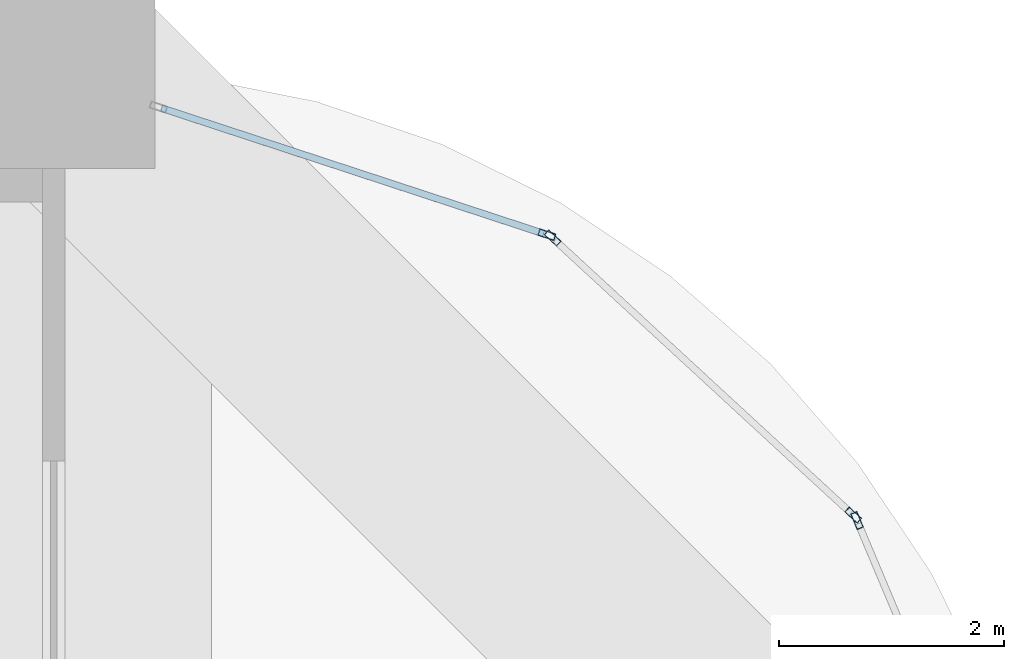
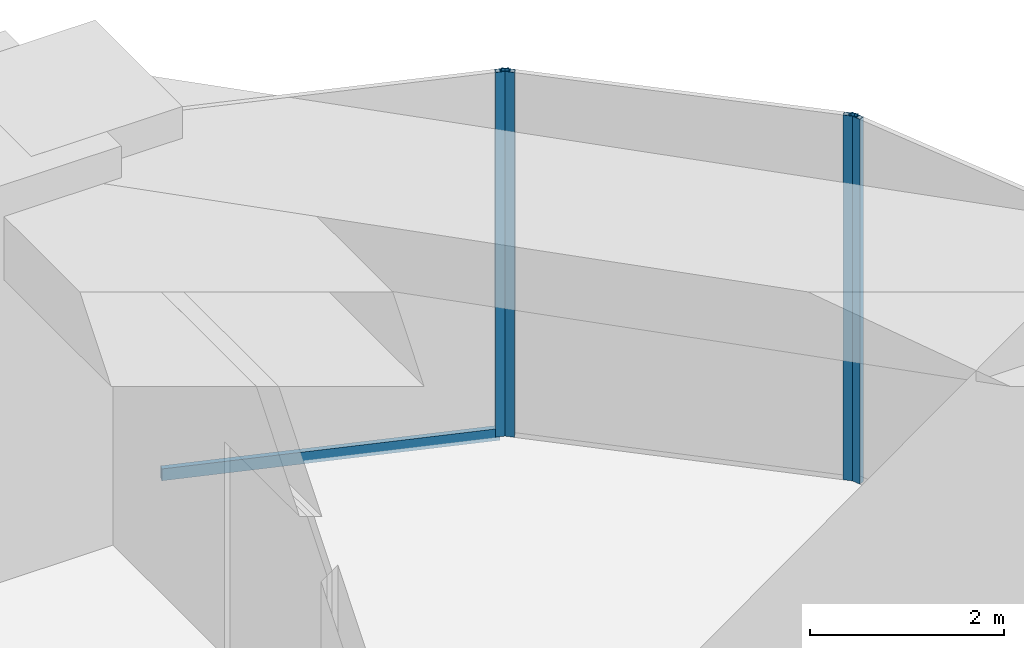
# One storey, part 34 of 38: 5 members, 3 elements without a shape of their own.
"""IFC4 building model written with IfcOpenShell, lengths in metres."""

from ifc_helpers import new_model, si_unit, direction, frame, origin, origin_2d, place, context, subcontext, project, spatial, hollow_rectangle, extrude, material, material_profile, profile_set, type_object, element, aggregate, save


model = new_model("IFC4")

# Units and contexts
model_context = context("Model", 3, precision=1e-05, world=origin(), true_north=direction((0.0, 1.0)))
body_context = subcontext(model_context, "Body", "Model", "MODEL_VIEW")
ifc_project = project(units=[si_unit("LENGTHUNIT", "METRE"), si_unit("AREAUNIT", "SQUARE_METRE"), si_unit("VOLUMEUNIT", "CUBIC_METRE"), si_unit("PLANEANGLEUNIT", "RADIAN"), si_unit("MASSUNIT", "GRAM", prefix="KILO")], contexts=[model_context])

# Site, building, storey
site_placement = place(None, origin())
site = spatial("IfcSite", under=ifc_project, at=site_placement, CompositionType="ELEMENT")
building_placement = place(site_placement, origin())
building = spatial("IfcBuilding", under=site, at=building_placement, Name="Zorevar Civic Tower", CompositionType="ELEMENT")
storey_placement = place(building_placement, frame((0.0, 0.0, 157.199951171875)))
storey = spatial("IfcBuildingStorey", under=building, at=storey_placement, Name="L38", CompositionType="ELEMENT", Elevation=157.199951171875)

# Curtain wall, member
ifc_material_1 = material(Name="Black aluminium louvres", Category="aluminium")
curtain_wall_type = type_object("IfcCurtainWallType", Name="Louvred curtain wall CW6 refuge", PredefinedType="NOTDEFINED", material=ifc_material_1)
curtain_wall_1_placement = place(storey_placement, origin())
curtain_wall_1 = element("IfcCurtainWall", 1, at=curtain_wall_1_placement, inside=storey, type_object=curtain_wall_type, Name="CW6 L38", PredefinedType="NOTDEFINED")
ifc_material_2 = material(Name="Aluminium, black anodised", Category="aluminium")
ifc_material_profile_1 = material_profile(ifc_material_2, hollow_rectangle(XDim=0.06005859375, YDim=0.14990234375, WallThickness=0.00390625, at=origin_2d()), Name="AL 150x60x4")
ifc_profile_set_1 = profile_set([ifc_material_profile_1], Name="Aluminium, black anodised")
member_type_1 = type_object("IfcMemberType", Name="CW6 mullion AL 150x60x4", PredefinedType="MULLION", material=ifc_profile_set_1)
member_1_placement = place(storey_placement, frame((61.130859375, 40.97314453125, 0.0), z_axis=(0.0, 0.0, 1.0), x_axis=(-0.921581744025, -0.388184349349, 0.0)))
member_1 = element("IfcMember", 2, at=member_1_placement, type_object=member_type_1, Name="CW6 mullion 2", PredefinedType="MULLION", context=body_context, shape_type="SweptSolid", body=[
    extrude(hollow_rectangle(XDim=0.06005859375, YDim=0.14990234375, WallThickness=0.00390625, at=origin_2d()), origin(), (0.0, 0.0, 1.0), 4.60009765625),
])
aggregate(curtain_wall_1, [member_1])

# Curtain wall, members
curtain_wall_2_placement = place(storey_placement, origin())
curtain_wall_2 = element("IfcCurtainWall", 3, at=curtain_wall_2_placement, inside=storey, type_object=curtain_wall_type, Name="CW6 L38", PredefinedType="NOTDEFINED")
member_2_placement = place(storey_placement, frame((61.09716796875, 41.02099609375, 0.0), z_axis=(0.0, 0.0, 1.0), x_axis=(-0.677777450165, -0.7352671134, 0.0)))
member_2 = element("IfcMember", 4, at=member_2_placement, type_object=member_type_1, Name="CW6 mullion 1", PredefinedType="MULLION", context=body_context, shape_type="SweptSolid", body=[
    extrude(hollow_rectangle(XDim=0.06005859375, YDim=0.14990234375, WallThickness=0.00390625, at=origin_2d()), origin(), (0.0, 0.0, 1.0), 4.60009765625),
])
member_3_placement = place(storey_placement, frame((58.427978515625, 43.4814453125, 0.0), z_axis=(0.0, 0.0, 1.0), x_axis=(-0.677777450165, -0.7352671134, 0.0)))
member_3 = element("IfcMember", 5, at=member_3_placement, type_object=member_type_1, Name="CW6 mullion 2", PredefinedType="MULLION", context=body_context, shape_type="SweptSolid", body=[
    extrude(hollow_rectangle(XDim=0.06005859375, YDim=0.14990234375, WallThickness=0.00390625, at=origin_2d()), origin(), (0.0, 0.0, 1.0), 4.60009765625),
])
aggregate(curtain_wall_2, [member_2, member_3])

curtain_wall_3_placement = place(storey_placement, origin())
curtain_wall_3 = element("IfcCurtainWall", 6, at=curtain_wall_3_placement, inside=storey, type_object=curtain_wall_type, Name="CW6 L38", PredefinedType="NOTDEFINED")
member_4_placement = place(storey_placement, frame((58.37744140625, 43.51123046875, 0.0), z_axis=(0.0, 0.0, 1.0), x_axis=(-0.31203637361, -0.950070156117, 0.0)))
member_4 = element("IfcMember", 7, at=member_4_placement, type_object=member_type_1, Name="CW6 mullion 1", PredefinedType="MULLION", context=body_context, shape_type="SweptSolid", body=[
    extrude(hollow_rectangle(XDim=0.06005859375, YDim=0.14990234375, WallThickness=0.00390625, at=origin_2d()), origin(), (0.0, 0.0, 1.0), 4.60009765625),
])
ifc_material_3 = material(Name="Aluminium, black anodised", Category="aluminium")
ifc_material_profile_2 = material_profile(ifc_material_3, hollow_rectangle(XDim=0.06005859375, YDim=0.14990234375, WallThickness=0.00390625, at=origin_2d()), Name="AL 150x60x4")
ifc_profile_set_2 = profile_set([ifc_material_profile_2], Name="Aluminium, black anodised")
member_type_2 = type_object("IfcMemberType", Name="CW6 transom AL 150x60x4", PredefinedType="USERDEFINED", material=ifc_profile_set_2)
member_5_placement = place(storey_placement, frame((58.348876953125, 43.5205078125, 0.030029296875), z_axis=(-0.950069115138, 0.312039543106, 0.0), x_axis=(-0.312039543106, -0.950069115138, 0.0)))
member_5 = element("IfcMember", 8, at=member_5_placement, type_object=member_type_2, Name="CW6 sill transom", ObjectType="TRANSOM", PredefinedType="USERDEFINED", context=body_context, shape_type="SweptSolid", body=[
    extrude(hollow_rectangle(XDim=0.06005859375, YDim=0.14990234375, WallThickness=0.00390625, at=origin_2d()), origin(), (0.0, 0.0, 1.0), 3.570068359375),
])
aggregate(curtain_wall_3, [member_4, member_5])

save(model, "model.ifc")
